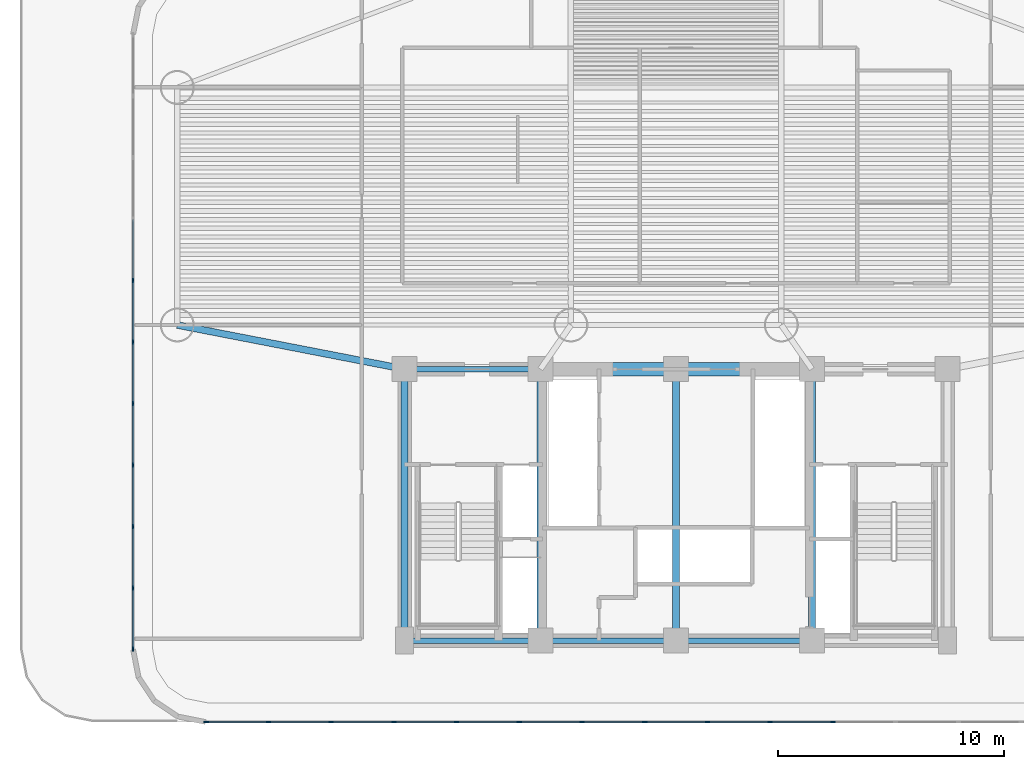
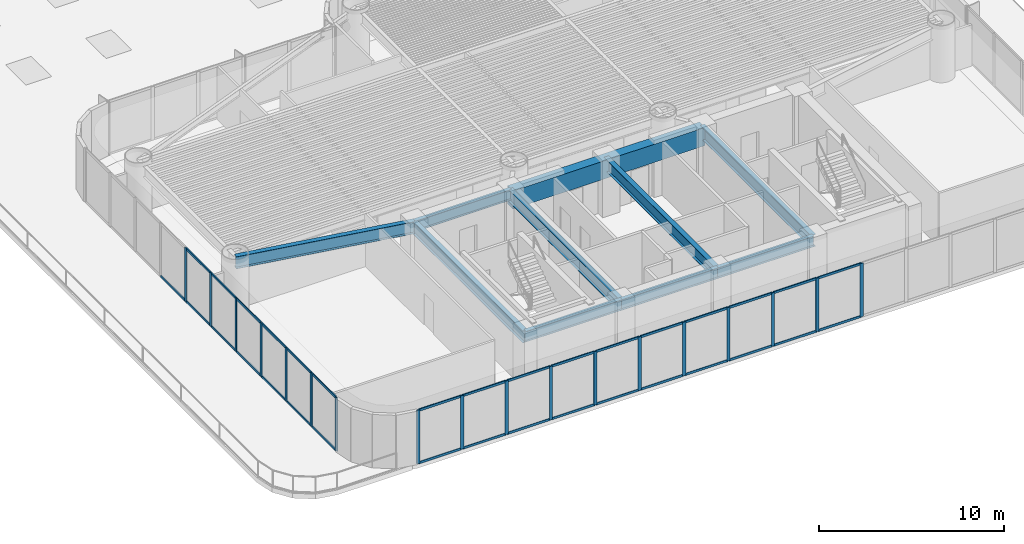
# One storey, part 2 of 17: 51 members, 10 beams, 2 elements without a shape of their own.
"""IFC4 building model written with IfcOpenShell, lengths in metres."""

import ifcopenshell
import ifcopenshell.guid

model = None  # the IFC model being written
_history = None  # IfcOwnerHistory: only IFC2X3 demands one
_inside = {}  # id of a spatial element -> (the spatial element, [elements in it])
_under = {}  # id of a project, library or spatial element -> (it, [spatial elements below it])
_declared = {}  # id of a project -> (the project, [libraries it declares])
_typed = {}  # id of a type object -> (the type object, [elements of that type])
_made_of = {}  # id of a material, layer set ... -> (it, [elements and type objects made of it])


def new_model(schema):
    """Start an empty IFC model of exactly this schema.

    Asked for "IFC4X3", IfcOpenShell would pick the latest addendum, in which some entities
    have other attributes; the version numbers below select the first issue.
    IFC2X3 requires an IfcOwnerHistory on every rooted entity: one is made here for all.
    """
    global model, _history
    if schema == "IFC4X3":
        model = ifcopenshell.file(schema_version=(4, 3, 0, 0))
    else:
        model = ifcopenshell.file(schema=schema)
    _inside.clear()
    _under.clear()
    _declared.clear()
    _typed.clear()
    _made_of.clear()
    _history = None
    if model.schema == "IFC2X3":
        org = make("IfcOrganization", Name="unknown")
        user = make(
            "IfcPersonAndOrganization",
            ThePerson=make("IfcPerson", FamilyName="unknown"),
            TheOrganization=org,
        )
        app = make(
            "IfcApplication",
            ApplicationDeveloper=org,
            Version="unknown",
            ApplicationFullName="unknown",
            ApplicationIdentifier="unknown",
        )
        _history = make(
            "IfcOwnerHistory",
            OwningUser=user,
            OwningApplication=app,
            ChangeAction="ADDED",
            CreationDate=0,
        )
    return model


def make(cls, **values):
    """One entity of the class cls with the attributes given. An attribute that is None is left unset."""
    return model.create_entity(
        cls, **{name: value for name, value in values.items() if value is not None}
    )


def rooted(cls, **values):
    """An entity with a GlobalId (a new one), such as an element, a storey or a relation."""
    return make(cls, GlobalId=ifcopenshell.guid.new(), OwnerHistory=_history, **values)


def si_unit(unit_type, name, prefix=None):
    """IfcSIUnit, for example si_unit("LENGTHUNIT", "METRE", prefix="MILLI")."""
    return make("IfcSIUnit", UnitType=unit_type, Prefix=prefix, Name=name)


def assignment(units):
    """IfcUnitAssignment: the units of a project."""
    return None if units is None else make("IfcUnitAssignment", Units=units)


def point(xyz):
    """IfcCartesianPoint."""
    return None if xyz is None else make("IfcCartesianPoint", Coordinates=xyz)


def direction(xyz):
    """IfcDirection."""
    return None if xyz is None else make("IfcDirection", DirectionRatios=xyz)


def frame(location, z_axis=None, x_axis=None):
    """IfcAxis2Placement3D, a coordinate frame: its origin and axes. An axis left out is left unset."""
    return make(
        "IfcAxis2Placement3D",
        Location=point(location),
        Axis=direction(z_axis),
        RefDirection=direction(x_axis),
    )


def frame_2d(location, x_axis=None):
    """IfcAxis2Placement2D, a coordinate frame in the plane: its origin and x axis."""
    return make(
        "IfcAxis2Placement2D", Location=point(location), RefDirection=direction(x_axis)
    )


def origin():
    """The frame at (0, 0, 0) with its axes left unset."""
    return frame((0.0, 0.0, 0.0))


def origin_2d():
    """The frame at (0, 0) in the plane with its x axis left unset."""
    return frame_2d((0.0, 0.0))


def place(relative_to, where):
    """IfcLocalPlacement: puts the frame where relative to a parent placement (None: the world)."""
    return make(
        "IfcLocalPlacement", PlacementRelTo=relative_to, RelativePlacement=where
    )


def context(
    kind, dimensions, precision=None, world=None, true_north=None, identifier=None
):
    """IfcGeometricRepresentationContext, for example the 3D "Model" context."""
    return make(
        "IfcGeometricRepresentationContext",
        ContextIdentifier=identifier,
        ContextType=kind,
        CoordinateSpaceDimension=dimensions,
        Precision=precision,
        WorldCoordinateSystem=world,
        TrueNorth=true_north,
    )


def subcontext(parent, identifier, kind, view, scale=None):
    """IfcGeometricRepresentationSubContext, for example "Body" below "Model"."""
    return make(
        "IfcGeometricRepresentationSubContext",
        ContextIdentifier=identifier,
        ContextType=kind,
        ParentContext=parent,
        TargetScale=scale,
        TargetView=view,
    )


def project(units=None, contexts=None):
    """IfcProject with its units and contexts."""
    return rooted(
        "IfcProject",
        Name="project",
        RepresentationContexts=contexts,
        UnitsInContext=assignment(units),
    )


def spatial(cls, under=None, at=None, **own):
    """A site, building, storey or space (cls), placed at a placement, below another one or the project."""
    s = rooted(cls, ObjectPlacement=at, **own)
    if under is not None:
        _under.setdefault(under.id(), (under, []))[1].append(s)
    return s


def profile(cls, at=None, kind="AREA", **sizes):
    """A parametric profile (cls). Its sizes go by their IFC names, for example OverallWidth=200.0."""
    return make(cls, ProfileType=kind, Position=at, **sizes)


def rectangle(**sizes):
    """IfcRectangleProfileDef."""
    return profile("IfcRectangleProfileDef", **sizes)


def i_section(**sizes):
    """IfcIShapeProfileDef."""
    return profile("IfcIShapeProfileDef", **sizes)


def extrude(swept, where, along, depth):
    """IfcExtrudedAreaSolid: the profile swept, set in the frame where, extruded along a direction by depth."""
    return make(
        "IfcExtrudedAreaSolid",
        SweptArea=swept,
        Position=where,
        ExtrudedDirection=direction(along),
        Depth=depth,
    )


def shape(context_of_items, identifier, shape_type, items):
    """IfcShapeRepresentation: the items that make up one representation, for example the "Body"."""
    return make(
        "IfcShapeRepresentation",
        ContextOfItems=context_of_items,
        RepresentationIdentifier=identifier,
        RepresentationType=shape_type,
        Items=items,
    )


def source(mapping_origin, context_of_items, identifier, shape_type, items):
    """IfcRepresentationMap: a shape defined once, which mapped items show again and again."""
    return make(
        "IfcRepresentationMap",
        MappingOrigin=mapping_origin,
        MappedRepresentation=shape(context_of_items, identifier, shape_type, items),
    )


def transform(
    local_origin,
    x_axis=None,
    y_axis=None,
    z_axis=None,
    scale=None,
    scale2=None,
    scale3=None,
    uniform=True,
):
    """IfcCartesianTransformationOperator3D, or its non-uniform kind. x_axis, y_axis, z_axis: its Axis1, 2, 3."""
    if uniform:
        return make(
            "IfcCartesianTransformationOperator3D",
            Axis1=direction(x_axis),
            Axis2=direction(y_axis),
            LocalOrigin=point(local_origin),
            Scale=scale,
            Axis3=direction(z_axis),
        )
    return make(
        "IfcCartesianTransformationOperator3DnonUniform",
        Axis1=direction(x_axis),
        Axis2=direction(y_axis),
        LocalOrigin=point(local_origin),
        Scale=scale,
        Axis3=direction(z_axis),
        Scale2=scale2,
        Scale3=scale3,
    )


def mapped(mapping_source, mapping_target):
    """IfcMappedItem: shows the shape of a source again, moved by a transform."""
    return make(
        "IfcMappedItem", MappingSource=mapping_source, MappingTarget=mapping_target
    )


def material(Name=None, Category=None):
    """IfcMaterial."""
    return make("IfcMaterial", Name=Name, Category=Category)


def layer(
    of_material, thickness, ventilated=None, Name=None, Category=None, Priority=None
):
    """IfcMaterialLayer: one layer of a wall or slab, of a material (None: an air gap)."""
    return make(
        "IfcMaterialLayer",
        Material=of_material,
        LayerThickness=thickness,
        IsVentilated=ventilated,
        Name=Name,
        Category=Category,
        Priority=Priority,
    )


def layer_set(layers, Name=None):
    """IfcMaterialLayerSet."""
    return make("IfcMaterialLayerSet", MaterialLayers=layers, LayerSetName=Name)


def material_profile(
    of_material, cross_section, Name=None, Category=None, Priority=None
):
    """IfcMaterialProfile: a cross section and its material."""
    return make(
        "IfcMaterialProfile",
        Name=Name,
        Material=of_material,
        Profile=cross_section,
        Priority=Priority,
        Category=Category,
    )


def profile_set(profiles, Name=None, composite=None):
    """IfcMaterialProfileSet."""
    return make(
        "IfcMaterialProfileSet",
        Name=Name,
        MaterialProfiles=profiles,
        CompositeProfile=composite,
    )


def made_of(thing, what):
    """Note that an element or type object is made of a material, layer set ...; save() writes the relation."""
    if what is not None:
        _made_of.setdefault(what.id(), (what, []))[1].append(thing)
    return thing


def type_object(cls, material=None, **own):
    """A type object (cls), such as IfcWallType, which elements share."""
    return made_of(rooted(cls, **own), material)


def element(
    cls,
    number,
    at=None,
    inside=None,
    cuts=None,
    type_object=None,
    material=None,
    context=None,
    identifier="Body",
    shape_type=None,
    held_by="IfcProductDefinitionShape",
    body=None,
    shapes=None,
    **own,
):
    """One element of the class cls, such as IfcWall. Its Tag is "e" and its number.

    at: its placement. inside: the storey or other place that contains it. cuts: it is an
    opening in that element (IfcRelVoidsElement). A single representation is given by context,
    identifier, shape_type and body (its items); several are given by shapes. held_by: the class
    of the entity that holds the representations. save() writes the other relations.
    """
    e = rooted(cls, Tag="e%d" % number, ObjectPlacement=at, **own)
    if body is not None:
        shapes = [shape(context, identifier, shape_type, body)]
    if shapes is not None:
        e.Representation = make(held_by, Representations=shapes)
    if inside is not None:
        _inside.setdefault(inside.id(), (inside, []))[1].append(e)
    if cuts is not None:
        rooted(
            "IfcRelVoidsElement", RelatingBuildingElement=cuts, RelatedOpeningElement=e
        )
    if type_object is not None:
        _typed.setdefault(type_object.id(), (type_object, []))[1].append(e)
    return made_of(e, material)


def aggregate(whole, parts):
    """IfcRelAggregates: a whole, such as a stair, and the parts it consists of."""
    return rooted("IfcRelAggregates", RelatingObject=whole, RelatedObjects=parts)


def save(model, path):
    """Write the relations noted so far, then the file.

    IfcRelAggregates (storeys below a building ...), IfcRelContainedInSpatialStructure (elements
    in a storey), IfcRelDefinesByType, IfcRelAssociatesMaterial and IfcRelDeclares: one each for
    every whole, place, type object, material and project.
    """
    for whole, parts in _under.values():
        aggregate(whole, parts)
    for where, things in _inside.values():
        rooted(
            "IfcRelContainedInSpatialStructure",
            RelatedElements=things,
            RelatingStructure=where,
        )
    for kind, things in _typed.values():
        rooted("IfcRelDefinesByType", RelatedObjects=things, RelatingType=kind)
    for what, things in _made_of.values():
        rooted("IfcRelAssociatesMaterial", RelatedObjects=things, RelatingMaterial=what)
    for by, libraries in _declared.values():
        rooted("IfcRelDeclares", RelatingContext=by, RelatedDefinitions=libraries)
    model.write(path)


model = new_model("IFC4")

# Units and contexts
model_context = context("Model", 3, precision=1e-05, world=origin(), true_north=direction((0.0, 1.0)))
body_context = subcontext(model_context, "Body", "Model", "MODEL_VIEW")
ifc_project = project(units=[si_unit("LENGTHUNIT", "METRE"), si_unit("AREAUNIT", "SQUARE_METRE"), si_unit("VOLUMEUNIT", "CUBIC_METRE"), si_unit("PLANEANGLEUNIT", "RADIAN"), si_unit("MASSUNIT", "GRAM", prefix="KILO")], contexts=[model_context])

# Site, building, storey
site_placement = place(None, origin())
site = spatial("IfcSite", under=ifc_project, at=site_placement, CompositionType="ELEMENT")
building_placement = place(site_placement, origin())
building = spatial("IfcBuilding", under=site, at=building_placement, Name="Brelvock Crest Care Tower", CompositionType="ELEMENT")
storey_placement = place(building_placement, frame((0.0, 0.0, 27.0)))
storey = spatial("IfcBuildingStorey", under=building, at=storey_placement, Name="L06", CompositionType="ELEMENT", Elevation=27.0)

# Beams
ifc_material_1 = material(Name="Concrete S80 (80 MPa)", Category="concrete")
ifc_material_profile_1 = material_profile(ifc_material_1, rectangle(XDim=0.60009765625, YDim=1.199951171875, at=origin_2d()), Name="RC600x1200")
ifc_profile_set_1 = profile_set([ifc_material_profile_1], Name="Concrete S80 (80 MPa)")
beam_type_1 = type_object("IfcBeamType", Name="BM-LN1", PredefinedType="LINTEL", material=ifc_profile_set_1)
shared_shape_1 = source(origin(), body_context, "Body", "SweptSolid", [
    extrude(rectangle(XDim=0.60009765625, YDim=1.199951171875, at=origin_2d()), origin(), (0.0, 0.0, 1.0), 12.0),
])
beam_1_placement = place(storey_placement, frame((30.0, 18.0, 2.929931640625), z_axis=(1.0, 0.0, 0.0), x_axis=(0.0, 1.0, 0.0)))
element("IfcBeam", 1, at=beam_1_placement, inside=storey, type_object=beam_type_1, Name="L06 Core Coupling Lintel Beam", PredefinedType="LINTEL", context=body_context, shape_type="MappedRepresentation", body=[
    mapped(shared_shape_1, transform((0.0, 0.0, 0.0), x_axis=(1.0, 0.0, 0.0), y_axis=(0.0, 1.0, 0.0), z_axis=(0.0, 0.0, 1.0), scale=1.0)),
])
ifc_material_2 = material(Name="Steel Grade 350", Category="steel")
ifc_material_profile_2 = material_profile(ifc_material_2, i_section(OverallWidth=0.25, OverallDepth=0.699951171875, WebThickness=0.011962890625, FlangeThickness=0.02001953125, at=origin_2d()), Name="700WB150")
ifc_profile_set_2 = profile_set([ifc_material_profile_2], Name="Steel Grade 350")
beam_type_2 = type_object("IfcBeamType", Name="BM-G4", PredefinedType="BEAM", material=ifc_profile_set_2)
shared_shape_2 = source(origin(), body_context, "Body", "SweptSolid", [
    extrude(i_section(OverallWidth=0.25, OverallDepth=0.699951171875, WebThickness=0.011962890625, FlangeThickness=0.02001953125, at=origin_2d()), origin(), (0.0, 0.0, 1.0), 6.0),
])
for number, where, z_axis, x_axis, name in (
    (2, (24.0, 6.0, 3.179931640625), (1.0, 0.0, 0.0), (0.0, 1.0, 0.0), "BM-CORES-L06-1"),
    (3, (24.0, 18.0, 3.179931640625), (1.0, 0.0, 0.0), (0.0, 1.0, 0.0), "BM-COREN-L06-1"),
    (4, (30.0, 6.0, 3.179931640625), (1.0, 0.0, 0.0), (0.0, 1.0, 0.0), "BM-CORES-L06-2"),
    (5, (36.0, 6.0, 3.179931640625), (1.0, 0.0, 0.0), (0.0, 1.0, 0.0), "BM-CORES-L06-3"),
):
    element("IfcBeam", number, at=place(storey_placement, frame(where, z_axis=z_axis, x_axis=x_axis)), inside=storey, type_object=beam_type_2, Name=name, PredefinedType="BEAM", context=body_context, shape_type="MappedRepresentation", body=[
        mapped(shared_shape_2, transform((0.0, 0.0, 0.0), x_axis=(1.0, 0.0, 0.0), y_axis=(0.0, 1.0, 0.0), z_axis=(0.0, 0.0, 1.0), scale=1.0)),
    ])
ifc_material_profile_3 = material_profile(ifc_material_2, i_section(OverallWidth=0.300048828125, OverallDepth=0.800048828125, WebThickness=0.013916015625, FlangeThickness=0.02197265625, at=origin_2d()), Name="800WB192")
ifc_profile_set_3 = profile_set([ifc_material_profile_3], Name="Steel Grade 350")
beam_type_3 = type_object("IfcBeamType", Name="BM-G5", PredefinedType="BEAM", material=ifc_profile_set_3)
shared_shape_3 = source(origin(), body_context, "Body", "SweptSolid", [
    extrude(i_section(OverallWidth=0.300048828125, OverallDepth=0.800048828125, WebThickness=0.013916015625, FlangeThickness=0.02197265625, at=origin_2d()), origin(), (0.0, 0.0, 1.0), 12.0),
])
for number, where, z_axis, x_axis, name in (
    (6, (24.0, 6.0, 3.1298828125), (0.0, 1.0, 0.0), (-1.0, 0.0, 0.0), "BM-COREX-L06-1"),
    (7, (30.0, 6.0, 3.1298828125), (0.0, 1.0, 0.0), (-1.0, 0.0, 0.0), "BM-COREX-L06-2"),
    (8, (36.0, 6.0, 3.1298828125), (0.0, 1.0, 0.0), (-1.0, 0.0, 0.0), "BM-COREX-L06-3"),
    (9, (42.0, 6.0, 3.1298828125), (0.0, 1.0, 0.0), (-1.0, 0.0, 0.0), "BM-COREX-L06-4"),
):
    element("IfcBeam", number, at=place(storey_placement, frame(where, z_axis=z_axis, x_axis=x_axis)), inside=storey, type_object=beam_type_3, Name=name, PredefinedType="BEAM", context=body_context, shape_type="MappedRepresentation", body=[
        mapped(shared_shape_3, transform((0.0, 0.0, 0.0), x_axis=(1.0, 0.0, 0.0), y_axis=(0.0, 1.0, 0.0), z_axis=(0.0, 0.0, 1.0), scale=1.0)),
    ])
shared_shape_4 = source(origin(), body_context, "Body", "SweptSolid", [
    extrude(i_section(OverallWidth=0.300048828125, OverallDepth=0.800048828125, WebThickness=0.013916015625, FlangeThickness=0.02197265625, at=origin_2d()), origin(), (0.0, 0.0, 1.0), 10.237548828125),
])
beam_2_placement = place(storey_placement, frame((24.0, 18.0, 3.1298828125), z_axis=(-0.981692632568, 0.190471979991, 0.0), x_axis=(-0.190471979991, -0.981692632568, 0.0)))
element("IfcBeam", 10, at=beam_2_placement, inside=storey, type_object=beam_type_3, Name="BM-THRO-W-L06", PredefinedType="BEAM", context=body_context, shape_type="MappedRepresentation", body=[
    mapped(shared_shape_4, transform((0.0, 0.0, 0.0), x_axis=(1.0, 0.0, 0.0), y_axis=(0.0, 1.0, 0.0), z_axis=(0.0, 0.0, 1.0), scale=1.0)),
])

# Curtain wall, members
ifc_material_3 = material(Name="Dark Glass Double Glazed Low-E", Category="glass")
ifc_layer = layer(ifc_material_3, 0.195068359375, Name="CWS-2")
ifc_layer_set = layer_set([ifc_layer], Name="Dark Glass Double Glazed Low-E")
curtain_wall_type = type_object("IfcCurtainWallType", Name="CWS-2", PredefinedType="NOTDEFINED", material=ifc_layer_set)
curtain_wall_1_placement = place(storey_placement, origin())
curtain_wall_1 = element("IfcCurtainWall", 11, at=curtain_wall_1_placement, inside=storey, type_object=curtain_wall_type, Name="L06 Curtain Wall E08", PredefinedType="NOTDEFINED")
ifc_material_4 = material(Name="Aluminium 6063-T6", Category="aluminium")
ifc_material_profile_4 = material_profile(ifc_material_4, rectangle(XDim=0.06494140625, YDim=0.199951171875, at=origin_2d()), Name="ALU65x200")
ifc_profile_set_4 = profile_set([ifc_material_profile_4], Name="Aluminium 6063-T6")
member_type_1 = type_object("IfcMemberType", Name="CWM-1", PredefinedType="MULLION", material=ifc_profile_set_4)
shared_shape_5 = source(origin(), body_context, "Body", "SweptSolid", [
    extrude(rectangle(XDim=0.06494140625, YDim=0.199951171875, at=origin_2d()), origin(), (0.0, 0.0, 1.0), 3.530029296875),
])
member_1_placement = place(storey_placement, frame((42.933349609375, 2.39990234375, 0.0), z_axis=(0.0, 0.0, 1.0), x_axis=(0.0, -1.0, 0.0)))
member_1 = element("IfcMember", 12, at=member_1_placement, type_object=member_type_1, Name="CW-2 mullion 6", PredefinedType="MULLION", context=body_context, shape_type="MappedRepresentation", body=[
    mapped(shared_shape_5, transform((0.0, 0.0, 0.0), x_axis=(1.0, 0.0, 0.0), y_axis=(0.0, 1.0, 0.0), z_axis=(0.0, 0.0, 1.0), scale=1.0)),
])
member_2_placement = place(storey_placement, frame((40.159912109375, 2.39990234375, 0.0), z_axis=(0.0, 0.0, 1.0), x_axis=(0.0, -1.0, 0.0)))
member_2 = element("IfcMember", 13, at=member_2_placement, type_object=member_type_1, Name="CW-2 mullion 7", PredefinedType="MULLION", context=body_context, shape_type="MappedRepresentation", body=[
    mapped(shared_shape_5, transform((0.0, 0.0, 0.0), x_axis=(1.0, 0.0, 0.0), y_axis=(0.0, 1.0, 0.0), z_axis=(0.0, 0.0, 1.0), scale=1.0)),
])
member_3_placement = place(storey_placement, frame((37.38671875, 2.39990234375, 0.0), z_axis=(0.0, 0.0, 1.0), x_axis=(0.0, -1.0, 0.0)))
member_3 = element("IfcMember", 14, at=member_3_placement, type_object=member_type_1, Name="CW-2 mullion 8", PredefinedType="MULLION", context=body_context, shape_type="MappedRepresentation", body=[
    mapped(shared_shape_5, transform((0.0, 0.0, 0.0), x_axis=(1.0, 0.0, 0.0), y_axis=(0.0, 1.0, 0.0), z_axis=(0.0, 0.0, 1.0), scale=1.0)),
])
member_4_placement = place(storey_placement, frame((34.61328125, 2.39990234375, 0.0), z_axis=(0.0, 0.0, 1.0), x_axis=(0.0, -1.0, 0.0)))
member_4 = element("IfcMember", 15, at=member_4_placement, type_object=member_type_1, Name="CW-2 mullion 9", PredefinedType="MULLION", context=body_context, shape_type="MappedRepresentation", body=[
    mapped(shared_shape_5, transform((0.0, 0.0, 0.0), x_axis=(1.0, 0.0, 0.0), y_axis=(0.0, 1.0, 0.0), z_axis=(0.0, 0.0, 1.0), scale=1.0)),
])
member_5_placement = place(storey_placement, frame((31.840087890625, 2.39990234375, 0.0), z_axis=(0.0, 0.0, 1.0), x_axis=(0.0, -1.0, 0.0)))
member_5 = element("IfcMember", 16, at=member_5_placement, type_object=member_type_1, Name="CW-2 mullion 10", PredefinedType="MULLION", context=body_context, shape_type="MappedRepresentation", body=[
    mapped(shared_shape_5, transform((0.0, 0.0, 0.0), x_axis=(1.0, 0.0, 0.0), y_axis=(0.0, 1.0, 0.0), z_axis=(0.0, 0.0, 1.0), scale=1.0)),
])
member_6_placement = place(storey_placement, frame((29.066650390625, 2.39990234375, 0.0), z_axis=(0.0, 0.0, 1.0), x_axis=(0.0, -1.0, 0.0)))
member_6 = element("IfcMember", 17, at=member_6_placement, type_object=member_type_1, Name="CW-2 mullion 11", PredefinedType="MULLION", context=body_context, shape_type="MappedRepresentation", body=[
    mapped(shared_shape_5, transform((0.0, 0.0, 0.0), x_axis=(1.0, 0.0, 0.0), y_axis=(0.0, 1.0, 0.0), z_axis=(0.0, 0.0, 1.0), scale=1.0)),
])
member_7_placement = place(storey_placement, frame((26.293212890625, 2.39990234375, 0.0), z_axis=(0.0, 0.0, 1.0), x_axis=(0.0, -1.0, 0.0)))
member_7 = element("IfcMember", 18, at=member_7_placement, type_object=member_type_1, Name="CW-2 mullion 12", PredefinedType="MULLION", context=body_context, shape_type="MappedRepresentation", body=[
    mapped(shared_shape_5, transform((0.0, 0.0, 0.0), x_axis=(1.0, 0.0, 0.0), y_axis=(0.0, 1.0, 0.0), z_axis=(0.0, 0.0, 1.0), scale=1.0)),
])
member_8_placement = place(storey_placement, frame((23.52001953125, 2.39990234375, 0.0), z_axis=(0.0, 0.0, 1.0), x_axis=(0.0, -1.0, 0.0)))
member_8 = element("IfcMember", 19, at=member_8_placement, type_object=member_type_1, Name="CW-2 mullion 13", PredefinedType="MULLION", context=body_context, shape_type="MappedRepresentation", body=[
    mapped(shared_shape_5, transform((0.0, 0.0, 0.0), x_axis=(1.0, 0.0, 0.0), y_axis=(0.0, 1.0, 0.0), z_axis=(0.0, 0.0, 1.0), scale=1.0)),
])
member_9_placement = place(storey_placement, frame((20.74658203125, 2.39990234375, 0.0), z_axis=(0.0, 0.0, 1.0), x_axis=(0.0, -1.0, 0.0)))
member_9 = element("IfcMember", 20, at=member_9_placement, type_object=member_type_1, Name="CW-2 mullion 14", PredefinedType="MULLION", context=body_context, shape_type="MappedRepresentation", body=[
    mapped(shared_shape_5, transform((0.0, 0.0, 0.0), x_axis=(1.0, 0.0, 0.0), y_axis=(0.0, 1.0, 0.0), z_axis=(0.0, 0.0, 1.0), scale=1.0)),
])
member_10_placement = place(storey_placement, frame((17.973388671875, 2.39990234375, 0.0), z_axis=(0.0, 0.0, 1.0), x_axis=(0.0, -1.0, 0.0)))
member_10 = element("IfcMember", 21, at=member_10_placement, type_object=member_type_1, Name="CW-2 mullion 15", PredefinedType="MULLION", context=body_context, shape_type="MappedRepresentation", body=[
    mapped(shared_shape_5, transform((0.0, 0.0, 0.0), x_axis=(1.0, 0.0, 0.0), y_axis=(0.0, 1.0, 0.0), z_axis=(0.0, 0.0, 1.0), scale=1.0)),
])
member_11_placement = place(storey_placement, frame((15.232421875, 2.39990234375, 0.0), z_axis=(0.0, 0.0, 1.0), x_axis=(0.0, -1.0, 0.0)))
member_11 = element("IfcMember", 22, at=member_11_placement, type_object=member_type_1, Name="CW-2 mullion 16", PredefinedType="MULLION", context=body_context, shape_type="MappedRepresentation", body=[
    mapped(shared_shape_5, transform((0.0, 0.0, 0.0), x_axis=(1.0, 0.0, 0.0), y_axis=(0.0, 1.0, 0.0), z_axis=(0.0, 0.0, 1.0), scale=1.0)),
])

curtain_wall_2_placement = place(storey_placement, origin())
curtain_wall_2 = element("IfcCurtainWall", 23, at=curtain_wall_2_placement, inside=storey, type_object=curtain_wall_type, Name="L06 Curtain Wall E13", PredefinedType="NOTDEFINED")
member_12_placement = place(storey_placement, frame((12.0, 5.632568359375, 0.0), z_axis=(0.0, 0.0, 1.0), x_axis=(-1.0, 0.0, 0.0)))
member_12 = element("IfcMember", 24, at=member_12_placement, type_object=member_type_1, Name="CW-2 mullion 1", PredefinedType="MULLION", context=body_context, shape_type="MappedRepresentation", body=[
    mapped(shared_shape_5, transform((0.0, 0.0, 0.0), x_axis=(1.0, 0.0, 0.0), y_axis=(0.0, 1.0, 0.0), z_axis=(0.0, 0.0, 1.0), scale=1.0)),
])
member_13_placement = place(storey_placement, frame((12.0, 8.320068359375, 0.0), z_axis=(0.0, 0.0, 1.0), x_axis=(-1.0, 0.0, 0.0)))
member_13 = element("IfcMember", 25, at=member_13_placement, type_object=member_type_1, Name="CW-2 mullion 2", PredefinedType="MULLION", context=body_context, shape_type="MappedRepresentation", body=[
    mapped(shared_shape_5, transform((0.0, 0.0, 0.0), x_axis=(1.0, 0.0, 0.0), y_axis=(0.0, 1.0, 0.0), z_axis=(0.0, 0.0, 1.0), scale=1.0)),
])
member_14_placement = place(storey_placement, frame((12.0, 11.0400390625, 0.0), z_axis=(0.0, 0.0, 1.0), x_axis=(-1.0, 0.0, 0.0)))
member_14 = element("IfcMember", 26, at=member_14_placement, type_object=member_type_1, Name="CW-2 mullion 3", PredefinedType="MULLION", context=body_context, shape_type="MappedRepresentation", body=[
    mapped(shared_shape_5, transform((0.0, 0.0, 0.0), x_axis=(1.0, 0.0, 0.0), y_axis=(0.0, 1.0, 0.0), z_axis=(0.0, 0.0, 1.0), scale=1.0)),
])
member_15_placement = place(storey_placement, frame((12.0, 13.760009765625, 0.0), z_axis=(0.0, 0.0, 1.0), x_axis=(-1.0, 0.0, 0.0)))
member_15 = element("IfcMember", 27, at=member_15_placement, type_object=member_type_1, Name="CW-2 mullion 4", PredefinedType="MULLION", context=body_context, shape_type="MappedRepresentation", body=[
    mapped(shared_shape_5, transform((0.0, 0.0, 0.0), x_axis=(1.0, 0.0, 0.0), y_axis=(0.0, 1.0, 0.0), z_axis=(0.0, 0.0, 1.0), scale=1.0)),
])
member_16_placement = place(storey_placement, frame((12.0, 16.47998046875, 0.0), z_axis=(0.0, 0.0, 1.0), x_axis=(-1.0, 0.0, 0.0)))
member_16 = element("IfcMember", 28, at=member_16_placement, type_object=member_type_1, Name="CW-2 mullion 5", PredefinedType="MULLION", context=body_context, shape_type="MappedRepresentation", body=[
    mapped(shared_shape_5, transform((0.0, 0.0, 0.0), x_axis=(1.0, 0.0, 0.0), y_axis=(0.0, 1.0, 0.0), z_axis=(0.0, 0.0, 1.0), scale=1.0)),
])
member_17_placement = place(storey_placement, frame((12.0, 19.199951171875, 0.0), z_axis=(0.0, 0.0, 1.0), x_axis=(-1.0, 0.0, 0.0)))
member_17 = element("IfcMember", 29, at=member_17_placement, type_object=member_type_1, Name="CW-2 mullion 6", PredefinedType="MULLION", context=body_context, shape_type="MappedRepresentation", body=[
    mapped(shared_shape_5, transform((0.0, 0.0, 0.0), x_axis=(1.0, 0.0, 0.0), y_axis=(0.0, 1.0, 0.0), z_axis=(0.0, 0.0, 1.0), scale=1.0)),
])
member_18_placement = place(storey_placement, frame((12.0, 21.919921875, 0.0), z_axis=(0.0, 0.0, 1.0), x_axis=(-1.0, 0.0, 0.0)))
member_18 = element("IfcMember", 30, at=member_18_placement, type_object=member_type_1, Name="CW-2 mullion 7", PredefinedType="MULLION", context=body_context, shape_type="MappedRepresentation", body=[
    mapped(shared_shape_5, transform((0.0, 0.0, 0.0), x_axis=(1.0, 0.0, 0.0), y_axis=(0.0, 1.0, 0.0), z_axis=(0.0, 0.0, 1.0), scale=1.0)),
])

# Member
ifc_material_profile_5 = material_profile(ifc_material_4, rectangle(XDim=0.06494140625, YDim=0.14990234375, at=origin_2d()), Name="ALU65x150")
ifc_profile_set_5 = profile_set([ifc_material_profile_5], Name="Aluminium 6063-T6")
member_type_2 = type_object("IfcMemberType", Name="CWT-1", PredefinedType="USERDEFINED", material=ifc_profile_set_5)
shared_shape_6 = source(origin(), body_context, "Body", "SweptSolid", [
    extrude(rectangle(XDim=0.06494140625, YDim=0.14990234375, at=origin_2d()), origin(), (0.0, 0.0, 1.0), 2.676025390625),
])
member_19_placement = place(storey_placement, frame((17.94091796875, 2.39990234375, 0.032470703125), z_axis=(-1.0, 0.0, 0.0), x_axis=(0.0, -1.0, 0.0)))
member_19 = element("IfcMember", 31, at=member_19_placement, type_object=member_type_2, Name="CW-2 transom 15.1", ObjectType="TRANSOM", PredefinedType="USERDEFINED", context=body_context, shape_type="MappedRepresentation", body=[
    mapped(shared_shape_6, transform((0.0, 0.0, 0.0), x_axis=(1.0, 0.0, 0.0), y_axis=(0.0, 1.0, 0.0), z_axis=(0.0, 0.0, 1.0), scale=1.0)),
])

member_20_placement = place(storey_placement, frame((17.94091796875, 2.39990234375, 3.49755859375), z_axis=(-1.0, 0.0, 0.0), x_axis=(0.0, -1.0, 0.0)))
member_20 = element("IfcMember", 32, at=member_20_placement, type_object=member_type_2, Name="CW-2 transom 15.2", ObjectType="TRANSOM", PredefinedType="USERDEFINED", context=body_context, shape_type="MappedRepresentation", body=[
    mapped(shared_shape_6, transform((0.0, 0.0, 0.0), x_axis=(1.0, 0.0, 0.0), y_axis=(0.0, 1.0, 0.0), z_axis=(0.0, 0.0, 1.0), scale=1.0)),
])

shared_shape_7 = source(origin(), body_context, "Body", "SweptSolid", [
    extrude(rectangle(XDim=0.06494140625, YDim=0.14990234375, at=origin_2d()), origin(), (0.0, 0.0, 1.0), 2.708251953125),
])
member_21_placement = place(storey_placement, frame((40.12744140625, 2.39990234375, 0.032470703125), z_axis=(-1.0, 0.0, 0.0), x_axis=(0.0, -1.0, 0.0)))
member_21 = element("IfcMember", 33, at=member_21_placement, type_object=member_type_2, Name="CW-2 transom 7.1", ObjectType="TRANSOM", PredefinedType="USERDEFINED", context=body_context, shape_type="MappedRepresentation", body=[
    mapped(shared_shape_7, transform((0.0, 0.0, 0.0), x_axis=(1.0, 0.0, 0.0), y_axis=(0.0, 1.0, 0.0), z_axis=(0.0, 0.0, 1.0), scale=1.0)),
])

member_22_placement = place(storey_placement, frame((40.12744140625, 2.39990234375, 3.49755859375), z_axis=(-1.0, 0.0, 0.0), x_axis=(0.0, -1.0, 0.0)))
member_22 = element("IfcMember", 34, at=member_22_placement, type_object=member_type_2, Name="CW-2 transom 7.2", ObjectType="TRANSOM", PredefinedType="USERDEFINED", context=body_context, shape_type="MappedRepresentation", body=[
    mapped(shared_shape_7, transform((0.0, 0.0, 0.0), x_axis=(1.0, 0.0, 0.0), y_axis=(0.0, 1.0, 0.0), z_axis=(0.0, 0.0, 1.0), scale=1.0)),
])

member_23_placement = place(storey_placement, frame((34.580810546875, 2.39990234375, 0.032470703125), z_axis=(-1.0, 0.0, 0.0), x_axis=(0.0, -1.0, 0.0)))
member_23 = element("IfcMember", 35, at=member_23_placement, type_object=member_type_2, Name="CW-2 transom 9.1", ObjectType="TRANSOM", PredefinedType="USERDEFINED", context=body_context, shape_type="MappedRepresentation", body=[
    mapped(shared_shape_7, transform((0.0, 0.0, 0.0), x_axis=(1.0, 0.0, 0.0), y_axis=(0.0, 1.0, 0.0), z_axis=(0.0, 0.0, 1.0), scale=1.0)),
])

member_24_placement = place(storey_placement, frame((34.580810546875, 2.39990234375, 3.49755859375), z_axis=(-1.0, 0.0, 0.0), x_axis=(0.0, -1.0, 0.0)))
member_24 = element("IfcMember", 36, at=member_24_placement, type_object=member_type_2, Name="CW-2 transom 9.2", ObjectType="TRANSOM", PredefinedType="USERDEFINED", context=body_context, shape_type="MappedRepresentation", body=[
    mapped(shared_shape_7, transform((0.0, 0.0, 0.0), x_axis=(1.0, 0.0, 0.0), y_axis=(0.0, 1.0, 0.0), z_axis=(0.0, 0.0, 1.0), scale=1.0)),
])

member_25_placement = place(storey_placement, frame((29.0341796875, 2.39990234375, 0.032470703125), z_axis=(-1.0, 0.0, 0.0), x_axis=(0.0, -1.0, 0.0)))
member_25 = element("IfcMember", 37, at=member_25_placement, type_object=member_type_2, Name="CW-2 transom 11.1", ObjectType="TRANSOM", PredefinedType="USERDEFINED", context=body_context, shape_type="MappedRepresentation", body=[
    mapped(shared_shape_7, transform((0.0, 0.0, 0.0), x_axis=(1.0, 0.0, 0.0), y_axis=(0.0, 1.0, 0.0), z_axis=(0.0, 0.0, 1.0), scale=1.0)),
])

member_26_placement = place(storey_placement, frame((29.0341796875, 2.39990234375, 3.49755859375), z_axis=(-1.0, 0.0, 0.0), x_axis=(0.0, -1.0, 0.0)))
member_26 = element("IfcMember", 38, at=member_26_placement, type_object=member_type_2, Name="CW-2 transom 11.2", ObjectType="TRANSOM", PredefinedType="USERDEFINED", context=body_context, shape_type="MappedRepresentation", body=[
    mapped(shared_shape_7, transform((0.0, 0.0, 0.0), x_axis=(1.0, 0.0, 0.0), y_axis=(0.0, 1.0, 0.0), z_axis=(0.0, 0.0, 1.0), scale=1.0)),
])

member_27_placement = place(storey_placement, frame((26.2607421875, 2.39990234375, 0.032470703125), z_axis=(-1.0, 0.0, 0.0), x_axis=(0.0, -1.0, 0.0)))
member_27 = element("IfcMember", 39, at=member_27_placement, type_object=member_type_2, Name="CW-2 transom 12.1", ObjectType="TRANSOM", PredefinedType="USERDEFINED", context=body_context, shape_type="MappedRepresentation", body=[
    mapped(shared_shape_7, transform((0.0, 0.0, 0.0), x_axis=(1.0, 0.0, 0.0), y_axis=(0.0, 1.0, 0.0), z_axis=(0.0, 0.0, 1.0), scale=1.0)),
])

member_28_placement = place(storey_placement, frame((26.2607421875, 2.39990234375, 3.49755859375), z_axis=(-1.0, 0.0, 0.0), x_axis=(0.0, -1.0, 0.0)))
member_28 = element("IfcMember", 40, at=member_28_placement, type_object=member_type_2, Name="CW-2 transom 12.2", ObjectType="TRANSOM", PredefinedType="USERDEFINED", context=body_context, shape_type="MappedRepresentation", body=[
    mapped(shared_shape_7, transform((0.0, 0.0, 0.0), x_axis=(1.0, 0.0, 0.0), y_axis=(0.0, 1.0, 0.0), z_axis=(0.0, 0.0, 1.0), scale=1.0)),
])

member_29_placement = place(storey_placement, frame((20.714111328125, 2.39990234375, 0.032470703125), z_axis=(-1.0, 0.0, 0.0), x_axis=(0.0, -1.0, 0.0)))
member_29 = element("IfcMember", 41, at=member_29_placement, type_object=member_type_2, Name="CW-2 transom 14.1", ObjectType="TRANSOM", PredefinedType="USERDEFINED", context=body_context, shape_type="MappedRepresentation", body=[
    mapped(shared_shape_7, transform((0.0, 0.0, 0.0), x_axis=(1.0, 0.0, 0.0), y_axis=(0.0, 1.0, 0.0), z_axis=(0.0, 0.0, 1.0), scale=1.0)),
])

member_30_placement = place(storey_placement, frame((20.714111328125, 2.39990234375, 3.49755859375), z_axis=(-1.0, 0.0, 0.0), x_axis=(0.0, -1.0, 0.0)))
member_30 = element("IfcMember", 42, at=member_30_placement, type_object=member_type_2, Name="CW-2 transom 14.2", ObjectType="TRANSOM", PredefinedType="USERDEFINED", context=body_context, shape_type="MappedRepresentation", body=[
    mapped(shared_shape_7, transform((0.0, 0.0, 0.0), x_axis=(1.0, 0.0, 0.0), y_axis=(0.0, 1.0, 0.0), z_axis=(0.0, 0.0, 1.0), scale=1.0)),
])

shared_shape_8 = source(origin(), body_context, "Body", "SweptSolid", [
    extrude(rectangle(XDim=0.06494140625, YDim=0.14990234375, at=origin_2d()), origin(), (0.0, 0.0, 1.0), 2.70849609375),
])
member_31_placement = place(storey_placement, frame((42.90087890625, 2.39990234375, 0.032470703125), z_axis=(-1.0, 0.0, 0.0), x_axis=(0.0, -1.0, 0.0)))
member_31 = element("IfcMember", 43, at=member_31_placement, type_object=member_type_2, Name="CW-2 transom 6.1", ObjectType="TRANSOM", PredefinedType="USERDEFINED", context=body_context, shape_type="MappedRepresentation", body=[
    mapped(shared_shape_8, transform((0.0, 0.0, 0.0), x_axis=(1.0, 0.0, 0.0), y_axis=(0.0, 1.0, 0.0), z_axis=(0.0, 0.0, 1.0), scale=1.0)),
])

member_32_placement = place(storey_placement, frame((42.90087890625, 2.39990234375, 3.49755859375), z_axis=(-1.0, 0.0, 0.0), x_axis=(0.0, -1.0, 0.0)))
member_32 = element("IfcMember", 44, at=member_32_placement, type_object=member_type_2, Name="CW-2 transom 6.2", ObjectType="TRANSOM", PredefinedType="USERDEFINED", context=body_context, shape_type="MappedRepresentation", body=[
    mapped(shared_shape_8, transform((0.0, 0.0, 0.0), x_axis=(1.0, 0.0, 0.0), y_axis=(0.0, 1.0, 0.0), z_axis=(0.0, 0.0, 1.0), scale=1.0)),
])

member_33_placement = place(storey_placement, frame((37.354248046875, 2.39990234375, 0.032470703125), z_axis=(-1.0, 0.0, 0.0), x_axis=(0.0, -1.0, 0.0)))
member_33 = element("IfcMember", 45, at=member_33_placement, type_object=member_type_2, Name="CW-2 transom 8.1", ObjectType="TRANSOM", PredefinedType="USERDEFINED", context=body_context, shape_type="MappedRepresentation", body=[
    mapped(shared_shape_8, transform((0.0, 0.0, 0.0), x_axis=(1.0, 0.0, 0.0), y_axis=(0.0, 1.0, 0.0), z_axis=(0.0, 0.0, 1.0), scale=1.0)),
])

member_34_placement = place(storey_placement, frame((37.354248046875, 2.39990234375, 3.49755859375), z_axis=(-1.0, 0.0, 0.0), x_axis=(0.0, -1.0, 0.0)))
member_34 = element("IfcMember", 46, at=member_34_placement, type_object=member_type_2, Name="CW-2 transom 8.2", ObjectType="TRANSOM", PredefinedType="USERDEFINED", context=body_context, shape_type="MappedRepresentation", body=[
    mapped(shared_shape_8, transform((0.0, 0.0, 0.0), x_axis=(1.0, 0.0, 0.0), y_axis=(0.0, 1.0, 0.0), z_axis=(0.0, 0.0, 1.0), scale=1.0)),
])

member_35_placement = place(storey_placement, frame((31.8076171875, 2.39990234375, 0.032470703125), z_axis=(-1.0, 0.0, 0.0), x_axis=(0.0, -1.0, 0.0)))
member_35 = element("IfcMember", 47, at=member_35_placement, type_object=member_type_2, Name="CW-2 transom 10.1", ObjectType="TRANSOM", PredefinedType="USERDEFINED", context=body_context, shape_type="MappedRepresentation", body=[
    mapped(shared_shape_8, transform((0.0, 0.0, 0.0), x_axis=(1.0, 0.0, 0.0), y_axis=(0.0, 1.0, 0.0), z_axis=(0.0, 0.0, 1.0), scale=1.0)),
])

member_36_placement = place(storey_placement, frame((31.8076171875, 2.39990234375, 3.49755859375), z_axis=(-1.0, 0.0, 0.0), x_axis=(0.0, -1.0, 0.0)))
member_36 = element("IfcMember", 48, at=member_36_placement, type_object=member_type_2, Name="CW-2 transom 10.2", ObjectType="TRANSOM", PredefinedType="USERDEFINED", context=body_context, shape_type="MappedRepresentation", body=[
    mapped(shared_shape_8, transform((0.0, 0.0, 0.0), x_axis=(1.0, 0.0, 0.0), y_axis=(0.0, 1.0, 0.0), z_axis=(0.0, 0.0, 1.0), scale=1.0)),
])

member_37_placement = place(storey_placement, frame((23.487548828125, 2.39990234375, 0.032470703125), z_axis=(-1.0, 0.0, 0.0), x_axis=(0.0, -1.0, 0.0)))
member_37 = element("IfcMember", 49, at=member_37_placement, type_object=member_type_2, Name="CW-2 transom 13.1", ObjectType="TRANSOM", PredefinedType="USERDEFINED", context=body_context, shape_type="MappedRepresentation", body=[
    mapped(shared_shape_8, transform((0.0, 0.0, 0.0), x_axis=(1.0, 0.0, 0.0), y_axis=(0.0, 1.0, 0.0), z_axis=(0.0, 0.0, 1.0), scale=1.0)),
])

member_38_placement = place(storey_placement, frame((23.487548828125, 2.39990234375, 3.49755859375), z_axis=(-1.0, 0.0, 0.0), x_axis=(0.0, -1.0, 0.0)))
member_38 = element("IfcMember", 50, at=member_38_placement, type_object=member_type_2, Name="CW-2 transom 13.2", ObjectType="TRANSOM", PredefinedType="USERDEFINED", context=body_context, shape_type="MappedRepresentation", body=[
    mapped(shared_shape_8, transform((0.0, 0.0, 0.0), x_axis=(1.0, 0.0, 0.0), y_axis=(0.0, 1.0, 0.0), z_axis=(0.0, 0.0, 1.0), scale=1.0)),
])

aggregate(curtain_wall_1, [member_1, member_2, member_3, member_4, member_5, member_6, member_7, member_8, member_9, member_10, member_11, member_31, member_32, member_21, member_22, member_33, member_34, member_23, member_24, member_35, member_36, member_25, member_26, member_27, member_28, member_37, member_38, member_29, member_30, member_19, member_20])

shared_shape_9 = source(origin(), body_context, "Body", "SweptSolid", [
    extrude(rectangle(XDim=0.06494140625, YDim=0.14990234375, at=origin_2d()), origin(), (0.0, 0.0, 1.0), 2.62255859375),
])
member_39_placement = place(storey_placement, frame((12.0, 5.6650390625, 0.032470703125), z_axis=(0.0, 1.0, 0.0), x_axis=(-1.0, 0.0, 0.0)))
member_39 = element("IfcMember", 51, at=member_39_placement, type_object=member_type_2, Name="CW-2 transom 1.1", ObjectType="TRANSOM", PredefinedType="USERDEFINED", context=body_context, shape_type="MappedRepresentation", body=[
    mapped(shared_shape_9, transform((0.0, 0.0, 0.0), x_axis=(1.0, 0.0, 0.0), y_axis=(0.0, 1.0, 0.0), z_axis=(0.0, 0.0, 1.0), scale=1.0)),
])

member_40_placement = place(storey_placement, frame((12.0, 5.6650390625, 3.49755859375), z_axis=(0.0, 1.0, 0.0), x_axis=(-1.0, 0.0, 0.0)))
member_40 = element("IfcMember", 52, at=member_40_placement, type_object=member_type_2, Name="CW-2 transom 1.2", ObjectType="TRANSOM", PredefinedType="USERDEFINED", context=body_context, shape_type="MappedRepresentation", body=[
    mapped(shared_shape_9, transform((0.0, 0.0, 0.0), x_axis=(1.0, 0.0, 0.0), y_axis=(0.0, 1.0, 0.0), z_axis=(0.0, 0.0, 1.0), scale=1.0)),
])

shared_shape_10 = source(origin(), body_context, "Body", "SweptSolid", [
    extrude(rectangle(XDim=0.06494140625, YDim=0.14990234375, at=origin_2d()), origin(), (0.0, 0.0, 1.0), 2.655029296875),
])
member_41_placement = place(storey_placement, frame((12.0, 8.3525390625, 0.032470703125), z_axis=(0.0, 1.0, 0.0), x_axis=(-1.0, 0.0, 0.0)))
member_41 = element("IfcMember", 53, at=member_41_placement, type_object=member_type_2, Name="CW-2 transom 2.1", ObjectType="TRANSOM", PredefinedType="USERDEFINED", context=body_context, shape_type="MappedRepresentation", body=[
    mapped(shared_shape_10, transform((0.0, 0.0, 0.0), x_axis=(1.0, 0.0, 0.0), y_axis=(0.0, 1.0, 0.0), z_axis=(0.0, 0.0, 1.0), scale=1.0)),
])

member_42_placement = place(storey_placement, frame((12.0, 8.3525390625, 3.49755859375), z_axis=(0.0, 1.0, 0.0), x_axis=(-1.0, 0.0, 0.0)))
member_42 = element("IfcMember", 54, at=member_42_placement, type_object=member_type_2, Name="CW-2 transom 2.2", ObjectType="TRANSOM", PredefinedType="USERDEFINED", context=body_context, shape_type="MappedRepresentation", body=[
    mapped(shared_shape_10, transform((0.0, 0.0, 0.0), x_axis=(1.0, 0.0, 0.0), y_axis=(0.0, 1.0, 0.0), z_axis=(0.0, 0.0, 1.0), scale=1.0)),
])

member_43_placement = place(storey_placement, frame((12.0, 11.072509765625, 0.032470703125), z_axis=(0.0, 1.0, 0.0), x_axis=(-1.0, 0.0, 0.0)))
member_43 = element("IfcMember", 55, at=member_43_placement, type_object=member_type_2, Name="CW-2 transom 3.1", ObjectType="TRANSOM", PredefinedType="USERDEFINED", context=body_context, shape_type="MappedRepresentation", body=[
    mapped(shared_shape_10, transform((0.0, 0.0, 0.0), x_axis=(1.0, 0.0, 0.0), y_axis=(0.0, 1.0, 0.0), z_axis=(0.0, 0.0, 1.0), scale=1.0)),
])

member_44_placement = place(storey_placement, frame((12.0, 11.072509765625, 3.49755859375), z_axis=(0.0, 1.0, 0.0), x_axis=(-1.0, 0.0, 0.0)))
member_44 = element("IfcMember", 56, at=member_44_placement, type_object=member_type_2, Name="CW-2 transom 3.2", ObjectType="TRANSOM", PredefinedType="USERDEFINED", context=body_context, shape_type="MappedRepresentation", body=[
    mapped(shared_shape_10, transform((0.0, 0.0, 0.0), x_axis=(1.0, 0.0, 0.0), y_axis=(0.0, 1.0, 0.0), z_axis=(0.0, 0.0, 1.0), scale=1.0)),
])

member_45_placement = place(storey_placement, frame((12.0, 13.79248046875, 0.032470703125), z_axis=(0.0, 1.0, 0.0), x_axis=(-1.0, 0.0, 0.0)))
member_45 = element("IfcMember", 57, at=member_45_placement, type_object=member_type_2, Name="CW-2 transom 4.1", ObjectType="TRANSOM", PredefinedType="USERDEFINED", context=body_context, shape_type="MappedRepresentation", body=[
    mapped(shared_shape_10, transform((0.0, 0.0, 0.0), x_axis=(1.0, 0.0, 0.0), y_axis=(0.0, 1.0, 0.0), z_axis=(0.0, 0.0, 1.0), scale=1.0)),
])

member_46_placement = place(storey_placement, frame((12.0, 13.79248046875, 3.49755859375), z_axis=(0.0, 1.0, 0.0), x_axis=(-1.0, 0.0, 0.0)))
member_46 = element("IfcMember", 58, at=member_46_placement, type_object=member_type_2, Name="CW-2 transom 4.2", ObjectType="TRANSOM", PredefinedType="USERDEFINED", context=body_context, shape_type="MappedRepresentation", body=[
    mapped(shared_shape_10, transform((0.0, 0.0, 0.0), x_axis=(1.0, 0.0, 0.0), y_axis=(0.0, 1.0, 0.0), z_axis=(0.0, 0.0, 1.0), scale=1.0)),
])

member_47_placement = place(storey_placement, frame((12.0, 16.512451171875, 0.032470703125), z_axis=(0.0, 1.0, 0.0), x_axis=(-1.0, 0.0, 0.0)))
member_47 = element("IfcMember", 59, at=member_47_placement, type_object=member_type_2, Name="CW-2 transom 5.1", ObjectType="TRANSOM", PredefinedType="USERDEFINED", context=body_context, shape_type="MappedRepresentation", body=[
    mapped(shared_shape_10, transform((0.0, 0.0, 0.0), x_axis=(1.0, 0.0, 0.0), y_axis=(0.0, 1.0, 0.0), z_axis=(0.0, 0.0, 1.0), scale=1.0)),
])

member_48_placement = place(storey_placement, frame((12.0, 16.512451171875, 3.49755859375), z_axis=(0.0, 1.0, 0.0), x_axis=(-1.0, 0.0, 0.0)))
member_48 = element("IfcMember", 60, at=member_48_placement, type_object=member_type_2, Name="CW-2 transom 5.2", ObjectType="TRANSOM", PredefinedType="USERDEFINED", context=body_context, shape_type="MappedRepresentation", body=[
    mapped(shared_shape_10, transform((0.0, 0.0, 0.0), x_axis=(1.0, 0.0, 0.0), y_axis=(0.0, 1.0, 0.0), z_axis=(0.0, 0.0, 1.0), scale=1.0)),
])

member_49_placement = place(storey_placement, frame((12.0, 19.232421875, 0.032470703125), z_axis=(0.0, 1.0, 0.0), x_axis=(-1.0, 0.0, 0.0)))
member_49 = element("IfcMember", 61, at=member_49_placement, type_object=member_type_2, Name="CW-2 transom 6.1", ObjectType="TRANSOM", PredefinedType="USERDEFINED", context=body_context, shape_type="MappedRepresentation", body=[
    mapped(shared_shape_10, transform((0.0, 0.0, 0.0), x_axis=(1.0, 0.0, 0.0), y_axis=(0.0, 1.0, 0.0), z_axis=(0.0, 0.0, 1.0), scale=1.0)),
])

member_50_placement = place(storey_placement, frame((12.0, 19.232421875, 3.49755859375), z_axis=(0.0, 1.0, 0.0), x_axis=(-1.0, 0.0, 0.0)))
member_50 = element("IfcMember", 62, at=member_50_placement, type_object=member_type_2, Name="CW-2 transom 6.2", ObjectType="TRANSOM", PredefinedType="USERDEFINED", context=body_context, shape_type="MappedRepresentation", body=[
    mapped(shared_shape_10, transform((0.0, 0.0, 0.0), x_axis=(1.0, 0.0, 0.0), y_axis=(0.0, 1.0, 0.0), z_axis=(0.0, 0.0, 1.0), scale=1.0)),
])

member_51_placement = place(storey_placement, frame((12.0, 21.952392578125, 0.032470703125), z_axis=(0.0, 1.0, 0.0), x_axis=(-1.0, 0.0, 0.0)))
member_51 = element("IfcMember", 63, at=member_51_placement, type_object=member_type_2, Name="CW-2 transom 7.1", ObjectType="TRANSOM", PredefinedType="USERDEFINED", context=body_context, shape_type="MappedRepresentation", body=[
    mapped(shared_shape_10, transform((0.0, 0.0, 0.0), x_axis=(1.0, 0.0, 0.0), y_axis=(0.0, 1.0, 0.0), z_axis=(0.0, 0.0, 1.0), scale=1.0)),
])

aggregate(curtain_wall_2, [member_12, member_13, member_14, member_15, member_16, member_17, member_18, member_39, member_40, member_41, member_42, member_43, member_44, member_45, member_46, member_47, member_48, member_49, member_50, member_51])

save(model, "model.ifc")
